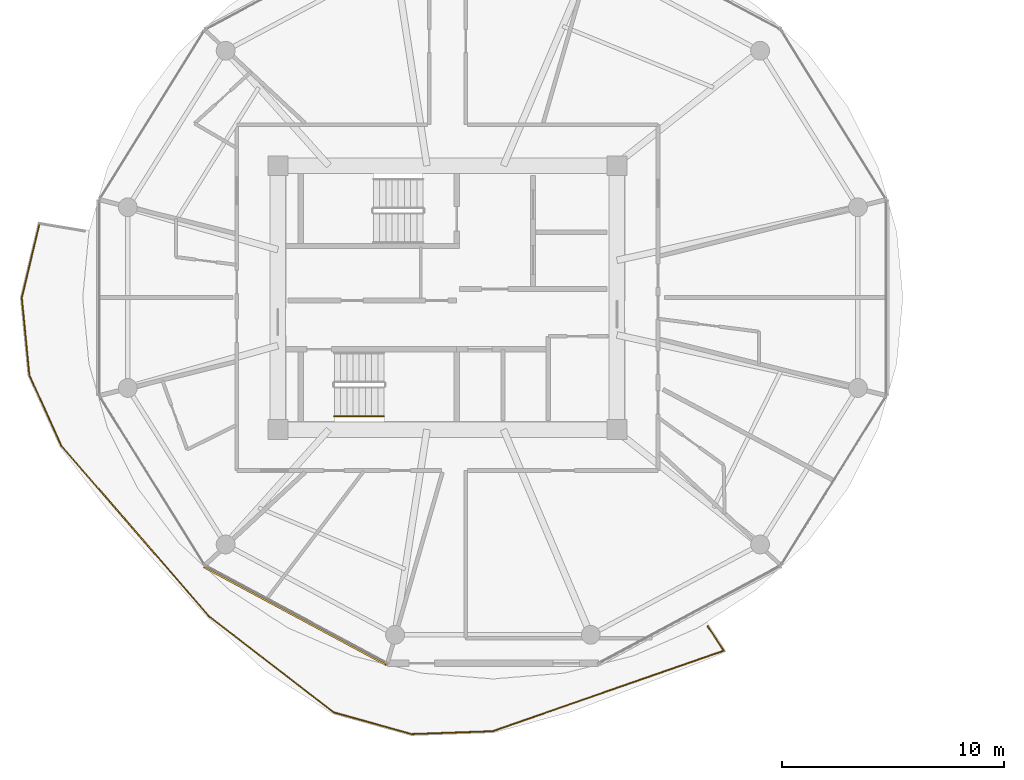
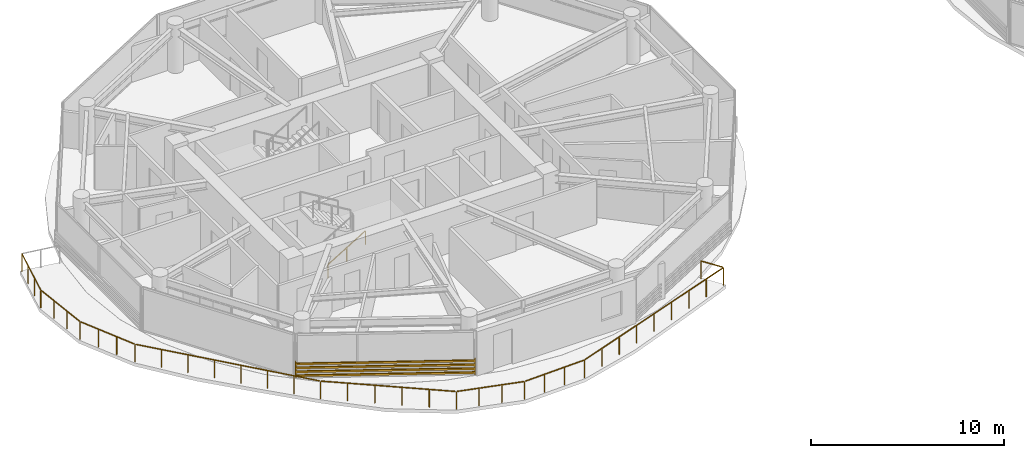
# One storey, part 19 of 24: 2 railings, 1 shading device.
"""IFC4 building model written with IfcOpenShell, lengths in metres."""

from ifc_helpers import new_model, si_unit, direction, frame, origin, origin_2d, place, context, subcontext, project, spatial, rectangle, extrude, source, transform, mapped, material, type_object, type_shapes, element, save


model = new_model("IFC4")

# Units and contexts
model_context = context("Model", 3, precision=1e-05, world=origin(), true_north=direction((0.0, 1.0)))
body_context = subcontext(model_context, "Body", "Model", "MODEL_VIEW")
ifc_project = project(units=[si_unit("LENGTHUNIT", "METRE"), si_unit("AREAUNIT", "SQUARE_METRE"), si_unit("VOLUMEUNIT", "CUBIC_METRE"), si_unit("PLANEANGLEUNIT", "RADIAN"), si_unit("MASSUNIT", "GRAM", prefix="KILO")], contexts=[model_context])

# Site, building, storey
site_placement = place(None, origin())
site = spatial("IfcSite", under=ifc_project, at=site_placement, CompositionType="ELEMENT")
building_placement = place(site_placement, origin())
building = spatial("IfcBuilding", under=site, at=building_placement, Name="Norrkilde Senior Care Towers", CompositionType="ELEMENT")
storey_placement = place(building_placement, frame((0.0, 0.0, 102.35009765625)))
storey = spatial("IfcBuildingStorey", under=building, at=storey_placement, Name="L31", CompositionType="ELEMENT", Elevation=102.35009765625)

# Railings
ifc_material_1 = material(Name="Anodised Aluminium", Category="aluminium")
railing_type_1 = type_object("IfcRailingType", Name="Balcony Swirl Ribbon Guardrail 1150", PredefinedType="GUARDRAIL", material=ifc_material_1)
railing_1_placement = place(storey_placement, frame((-16.2626953125, -14.82568359375, 0.0)))
element("IfcRailing", 1, at=railing_1_placement, inside=storey, type_object=railing_type_1, Name="L31 Perimeter Safety Guard 04", PredefinedType="GUARDRAIL", context=body_context, shape_type="SweptSolid", body=[
    extrude(rectangle(XDim=0.048095703125, YDim=0.048095703125, at=origin_2d()), frame((0.0, 0.0, 1.1259765625), z_axis=(0.550855084463, -0.834600908172, 0.0), x_axis=(0.834600908172, 0.550855084463, 0.0)), (0.0, 0.0, 1.0), 1.27978515625),
    extrude(rectangle(XDim=0.048095703125, YDim=0.048095703125, at=origin_2d()), frame((0.68896484375, -1.11572265625, 1.1259765625), z_axis=(-0.944331718732, -0.328994840381, 0.0), x_axis=(0.328994840381, -0.944331718732, 0.0)), (0.0, 0.0, 1.0), 10.959716796875),
    extrude(rectangle(XDim=0.048095703125, YDim=0.048095703125, at=origin_2d()), frame((-9.739990234375, -4.736328125, 1.1259765625), z_axis=(-0.999369300311, -0.035510584275, 0.0), x_axis=(0.035510584275, -0.999369300311, 0.0)), (0.0, 0.0, 1.0), 3.575927734375),
    extrude(rectangle(XDim=0.048095703125, YDim=0.048095703125, at=origin_2d()), frame((-13.393798828125, -4.853759765625, 1.1259765625), z_axis=(-0.96323456681, 0.268661812139, 0.0), x_axis=(-0.268661812139, -0.96323456681, 0.0)), (0.0, 0.0, 1.0), 3.56689453125),
    extrude(rectangle(XDim=0.048095703125, YDim=0.048095703125, at=origin_2d()), frame((-16.9013671875, -3.859619140625, 1.1259765625), z_axis=(-0.791974904322, 0.610553642954, 0.0), x_axis=(-0.610553642954, -0.791974904322, 0.0)), (0.0, 0.0, 1.0), 7.0263671875),
    extrude(rectangle(XDim=0.048095703125, YDim=0.048095703125, at=origin_2d()), frame((-22.525146484375, 0.486328125, 1.1259765625), z_axis=(-0.654731244058, 0.755861758561, 0.0), x_axis=(-0.755861758561, -0.654731244058, 0.0)), (0.0, 0.0, 1.0), 10.08642578125),
    extrude(rectangle(XDim=0.048095703125, YDim=0.048095703125, at=origin_2d()), frame((-29.172607421875, 8.178466796875, 1.1259765625), z_axis=(-0.412154100193, 0.911114151846, 0.0), x_axis=(-0.911114151846, -0.412154100193, 0.0)), (0.0, 0.0, 1.0), 3.422607421875),
    extrude(rectangle(XDim=0.048095703125, YDim=0.048095703125, at=origin_2d()), frame((-30.60400390625, 11.374755859375, 1.1259765625), z_axis=(-0.096887771193, 0.995295312856, 0.0), x_axis=(-0.995295312856, -0.096887771193, 0.0)), (0.0, 0.0, 1.0), 3.4208984375),
    extrude(rectangle(XDim=0.048095703125, YDim=0.048095703125, at=origin_2d()), frame((-30.929931640625, 14.85986328125, 1.1259765625), z_axis=(0.232081911263, 0.972696245734, 0.0), x_axis=(-0.972696245734, 0.232081911263, 0.0)), (0.0, 0.0, 1.0), 3.392822265625),
    extrude(rectangle(XDim=0.0419921875, YDim=0.0419921875, at=origin_2d()), origin(), (0.0, 0.0, 1.0), 1.099853515625),
    extrude(rectangle(XDim=0.0419921875, YDim=0.0419921875, at=origin_2d()), frame((0.7275390625, -1.102294921875, 0.0)), (0.0, 0.0, 1.0), 1.099853515625),
    extrude(rectangle(XDim=0.0419921875, YDim=0.0419921875, at=origin_2d()), frame((-0.57568359375, -1.556396484375, 0.0)), (0.0, 0.0, 1.0), 1.099853515625),
    extrude(rectangle(XDim=0.0419921875, YDim=0.0419921875, at=origin_2d()), frame((-1.879150390625, -2.010498046875, 0.0)), (0.0, 0.0, 1.0), 1.099853515625),
    extrude(rectangle(XDim=0.0419921875, YDim=0.0419921875, at=origin_2d()), frame((-3.1826171875, -2.464599609375, 0.0)), (0.0, 0.0, 1.0), 1.099853515625),
    extrude(rectangle(XDim=0.0419921875, YDim=0.0419921875, at=origin_2d()), frame((-4.48583984375, -2.91845703125, 0.0)), (0.0, 0.0, 1.0), 1.099853515625),
    extrude(rectangle(XDim=0.0419921875, YDim=0.0419921875, at=origin_2d()), frame((-5.7890625, -3.37255859375, 0.0)), (0.0, 0.0, 1.0), 1.099853515625),
    extrude(rectangle(XDim=0.0419921875, YDim=0.0419921875, at=origin_2d()), frame((-7.092529296875, -3.82666015625, 0.0)), (0.0, 0.0, 1.0), 1.099853515625),
    extrude(rectangle(XDim=0.0419921875, YDim=0.0419921875, at=origin_2d()), frame((-8.39599609375, -4.28076171875, 0.0)), (0.0, 0.0, 1.0), 1.099853515625),
    extrude(rectangle(XDim=0.0419921875, YDim=0.0419921875, at=origin_2d()), frame((-9.69921875, -4.73486328125, 0.0)), (0.0, 0.0, 1.0), 1.099853515625),
    extrude(rectangle(XDim=0.0419921875, YDim=0.0419921875, at=origin_2d()), frame((-10.917724609375, -4.778076171875, 0.0)), (0.0, 0.0, 1.0), 1.099853515625),
    extrude(rectangle(XDim=0.0419921875, YDim=0.0419921875, at=origin_2d()), frame((-12.135986328125, -4.821533203125, 0.0)), (0.0, 0.0, 1.0), 1.099853515625),
    extrude(rectangle(XDim=0.0419921875, YDim=0.0419921875, at=origin_2d()), frame((-13.3544921875, -4.86474609375, 0.0)), (0.0, 0.0, 1.0), 1.099853515625),
    extrude(rectangle(XDim=0.0419921875, YDim=0.0419921875, at=origin_2d()), frame((-14.52587890625, -4.5380859375, 0.0)), (0.0, 0.0, 1.0), 1.099853515625),
    extrude(rectangle(XDim=0.0419921875, YDim=0.0419921875, at=origin_2d()), frame((-15.697509765625, -4.211181640625, 0.0)), (0.0, 0.0, 1.0), 1.099853515625),
    extrude(rectangle(XDim=0.0419921875, YDim=0.0419921875, at=origin_2d()), frame((-16.868896484375, -3.884521484375, 0.0)), (0.0, 0.0, 1.0), 1.099853515625),
    extrude(rectangle(XDim=0.0419921875, YDim=0.0419921875, at=origin_2d()), frame((-17.994873046875, -3.0166015625, 0.0)), (0.0, 0.0, 1.0), 1.099853515625),
    extrude(rectangle(XDim=0.0419921875, YDim=0.0419921875, at=origin_2d()), frame((-19.12060546875, -2.148681640625, 0.0)), (0.0, 0.0, 1.0), 1.099853515625),
    extrude(rectangle(XDim=0.0419921875, YDim=0.0419921875, at=origin_2d()), frame((-20.24658203125, -1.280517578125, 0.0)), (0.0, 0.0, 1.0), 1.099853515625),
    extrude(rectangle(XDim=0.0419921875, YDim=0.0419921875, at=origin_2d()), frame((-21.372314453125, -0.41259765625, 0.0)), (0.0, 0.0, 1.0), 1.099853515625),
    extrude(rectangle(XDim=0.0419921875, YDim=0.0419921875, at=origin_2d()), frame((-22.498291015625, 0.455322265625, 0.0)), (0.0, 0.0, 1.0), 1.099853515625),
    extrude(rectangle(XDim=0.0419921875, YDim=0.0419921875, at=origin_2d()), frame((-23.449462890625, 1.55322265625, 0.0)), (0.0, 0.0, 1.0), 1.099853515625),
    extrude(rectangle(XDim=0.0419921875, YDim=0.0419921875, at=origin_2d()), frame((-24.400390625, 2.6513671875, 0.0)), (0.0, 0.0, 1.0), 1.099853515625),
    extrude(rectangle(XDim=0.0419921875, YDim=0.0419921875, at=origin_2d()), frame((-25.3515625, 3.749267578125, 0.0)), (0.0, 0.0, 1.0), 1.099853515625),
    extrude(rectangle(XDim=0.0419921875, YDim=0.0419921875, at=origin_2d()), frame((-26.302490234375, 4.84716796875, 0.0)), (0.0, 0.0, 1.0), 1.099853515625),
    extrude(rectangle(XDim=0.0419921875, YDim=0.0419921875, at=origin_2d()), frame((-27.253662109375, 5.945068359375, 0.0)), (0.0, 0.0, 1.0), 1.099853515625),
    extrude(rectangle(XDim=0.0419921875, YDim=0.0419921875, at=origin_2d()), frame((-28.20458984375, 7.043212890625, 0.0)), (0.0, 0.0, 1.0), 1.099853515625),
    extrude(rectangle(XDim=0.0419921875, YDim=0.0419921875, at=origin_2d()), frame((-29.15576171875, 8.14111328125, 0.0)), (0.0, 0.0, 1.0), 1.099853515625),
    extrude(rectangle(XDim=0.0419921875, YDim=0.0419921875, at=origin_2d()), frame((-29.63720703125, 9.205322265625, 0.0)), (0.0, 0.0, 1.0), 1.099853515625),
    extrude(rectangle(XDim=0.0419921875, YDim=0.0419921875, at=origin_2d()), frame((-30.11865234375, 10.269775390625, 0.0)), (0.0, 0.0, 1.0), 1.099853515625),
    extrude(rectangle(XDim=0.0419921875, YDim=0.0419921875, at=origin_2d()), frame((-30.60009765625, 11.333984375, 0.0)), (0.0, 0.0, 1.0), 1.099853515625),
    extrude(rectangle(XDim=0.0419921875, YDim=0.0419921875, at=origin_2d()), frame((-30.713134765625, 12.49609375, 0.0)), (0.0, 0.0, 1.0), 1.099853515625),
    extrude(rectangle(XDim=0.0419921875, YDim=0.0419921875, at=origin_2d()), frame((-30.826416015625, 13.657958984375, 0.0)), (0.0, 0.0, 1.0), 1.099853515625),
    extrude(rectangle(XDim=0.0419921875, YDim=0.0419921875, at=origin_2d()), frame((-30.939453125, 14.820068359375, 0.0)), (0.0, 0.0, 1.0), 1.099853515625),
    extrude(rectangle(XDim=0.0419921875, YDim=0.0419921875, at=origin_2d()), frame((-30.673828125, 15.933349609375, 0.0)), (0.0, 0.0, 1.0), 1.099853515625),
    extrude(rectangle(XDim=0.0419921875, YDim=0.0419921875, at=origin_2d()), frame((-30.408203125, 17.046630859375, 0.0)), (0.0, 0.0, 1.0), 1.099853515625),
    extrude(rectangle(XDim=0.0419921875, YDim=0.0419921875, at=origin_2d()), frame((-30.142578125, 18.159912109375, 0.0)), (0.0, 0.0, 1.0), 1.099853515625),
])
ifc_material_2 = material(Name="Nordic Ash Timber", Category="wood")
railing_type_2 = type_object("IfcRailingType", Name="Wall and Stair Handrail 900", PredefinedType="HANDRAIL", material=ifc_material_2)
railing_2_placement = place(storey_placement, frame((-33.10009765625, -5.35009765625, 0.16943359375)))
element("IfcRailing", 2, at=railing_2_placement, inside=storey, type_object=railing_type_2, Name="L31 ST-W2 stair handrail 1", PredefinedType="HANDRAIL", context=body_context, shape_type="SweptSolid", body=[
    extrude(rectangle(XDim=0.048095703125, YDim=0.048095703125, at=origin_2d()), frame((0.0, 0.0, 0.8759765625), z_axis=(0.855553338991, 0.0, 0.51771467445), x_axis=(0.0, 1.0, 0.0)), (0.0, 0.0, 1.0), 2.6181640625),
    extrude(rectangle(XDim=0.0419921875, YDim=0.0419921875, at=origin_2d()), origin(), (0.0, 0.0, 1.0), 0.849853515625),
    extrude(rectangle(XDim=0.0419921875, YDim=0.0419921875, at=origin_2d()), frame((1.1201171875, 0.0, 0.677734375)), (0.0, 0.0, 1.0), 0.849853515625),
    extrude(rectangle(XDim=0.0419921875, YDim=0.0419921875, at=origin_2d()), frame((2.239990234375, 0.0, 1.35546875)), (0.0, 0.0, 1.0), 0.849853515625),
])

# Shading device
ifc_material_3 = material(Name="Architectural Terracotta", Category="masonry")
shading_device_type = type_object("IfcShadingDeviceType", Name="Horizontal Terracotta Baguette Rack", PredefinedType="USERDEFINED", material=ifc_material_3)
shared_shape = source(origin(), body_context, "Body", "SweptSolid", [
    extrude(rectangle(XDim=0.070068359375, YDim=0.110107421875, at=origin_2d()), frame((0.0, 0.090087890625, 0.125), z_axis=(1.0, 0.0, 0.0), x_axis=(0.0, 1.0, 0.0)), (0.0, 0.0, 1.0), 9.3505859375),
    extrude(rectangle(XDim=0.070068359375, YDim=0.110107421875, at=origin_2d()), frame((0.0, 0.090087890625, 0.375), z_axis=(1.0, 0.0, 0.0), x_axis=(0.0, 1.0, 0.0)), (0.0, 0.0, 1.0), 9.3505859375),
    extrude(rectangle(XDim=0.070068359375, YDim=0.110107421875, at=origin_2d()), frame((0.0, 0.090087890625, 0.625), z_axis=(1.0, 0.0, 0.0), x_axis=(0.0, 1.0, 0.0)), (0.0, 0.0, 1.0), 9.3505859375),
    extrude(rectangle(XDim=0.070068359375, YDim=0.110107421875, at=origin_2d()), frame((0.0, 0.090087890625, 0.875), z_axis=(1.0, 0.0, 0.0), x_axis=(0.0, 1.0, 0.0)), (0.0, 0.0, 1.0), 9.3505859375),
    extrude(rectangle(XDim=0.050048828125, YDim=0.1552734375, at=origin_2d()), frame((0.02490234375, 0.047607421875, 0.0)), (0.0, 0.0, 1.0), 1.0),
    extrude(rectangle(XDim=0.050048828125, YDim=0.1552734375, at=origin_2d()), frame((9.32568359375, 0.047607421875, 0.0)), (0.0, 0.0, 1.0), 1.0),
])
type_shapes(shading_device_type, [shared_shape])
shading_device_placement = place(storey_placement, frame((-30.70703125, -16.498046875, 0.079833984375), z_axis=(0.0, 0.0, 1.0), x_axis=(-0.881174934726, 0.472767624021, 0.0)))
element("IfcShadingDevice", 3, at=shading_device_placement, inside=storey, type_object=shading_device_type, Name="L31 Drum W Terracotta Baguette Screen 07", ObjectType="BAGUETTE", PredefinedType="USERDEFINED", context=body_context, shape_type="MappedRepresentation", body=[
    mapped(shared_shape, transform((0.0, 0.0, 0.0), x_axis=(1.0, 0.0, 0.0), y_axis=(0.0, 1.0, 0.0), z_axis=(0.0, 0.0, 1.0), scale=1.0)),
])

save(model, "model.ifc")
